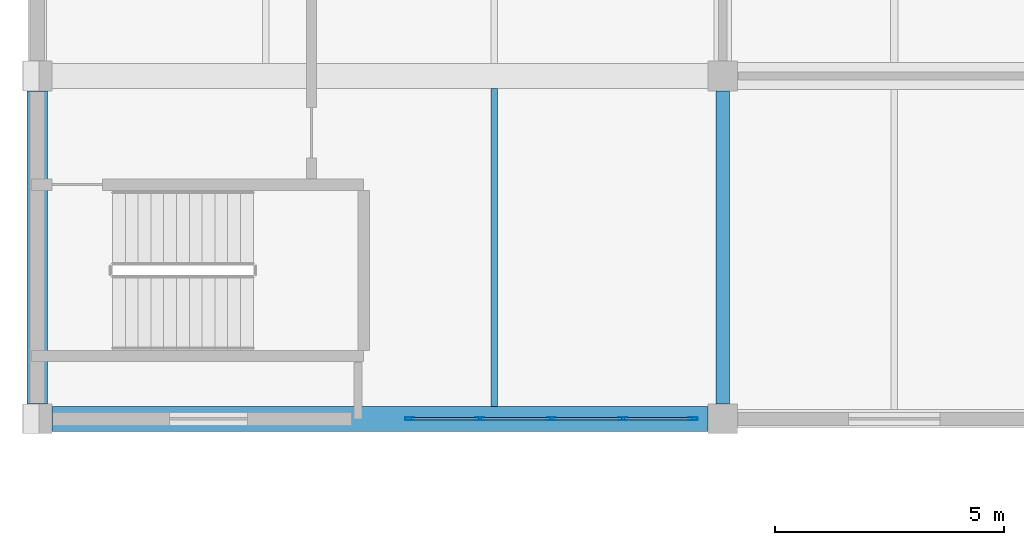
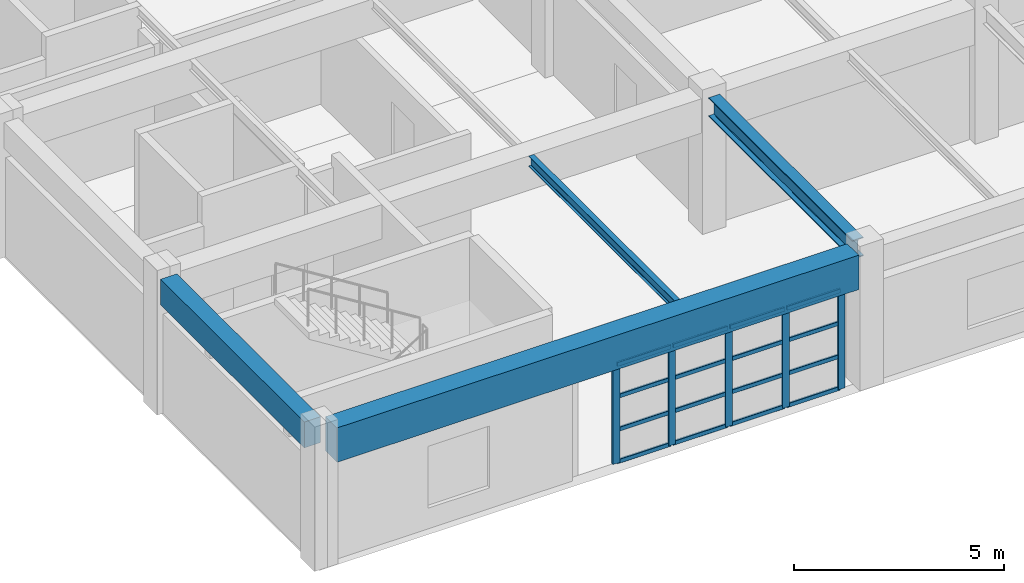
# One storey, part 44 of 132: 21 members, 4 beams, 1 element without a shape of its own.
"""IFC4 building model written with IfcOpenShell, lengths in metres."""

from ifc_helpers import new_model, si_unit, direction, frame, origin, origin_2d, place, context, subcontext, project, spatial, rectangle, hollow_rectangle, i_section, extrude, material, material_profile, profile_set, type_object, element, aggregate, save


model = new_model("IFC4")

# Units and contexts
model_context = context("Model", 3, precision=1e-05, world=origin(), true_north=direction((0.0, 1.0)))
body_context = subcontext(model_context, "Body", "Model", "MODEL_VIEW")
ifc_project = project(units=[si_unit("LENGTHUNIT", "METRE"), si_unit("AREAUNIT", "SQUARE_METRE"), si_unit("VOLUMEUNIT", "CUBIC_METRE"), si_unit("PLANEANGLEUNIT", "RADIAN"), si_unit("MASSUNIT", "GRAM", prefix="KILO")], contexts=[model_context])

# Site, building, storey
site_placement = place(None, origin())
site = spatial("IfcSite", under=ifc_project, at=site_placement, CompositionType="ELEMENT")
building_placement = place(site_placement, origin())
building = spatial("IfcBuilding", under=site, at=building_placement, Name="Qasida Concert Hall", CompositionType="ELEMENT")
storey_placement = place(building_placement, frame((0.0, 0.0, 4.800048828125)))
storey = spatial("IfcBuildingStorey", under=building, at=storey_placement, Name="L01", CompositionType="ELEMENT", Elevation=4.800048828125)

# Beams
ifc_material_1 = material(Name="Steel S355J2", Category="steel")
ifc_material_profile_1 = material_profile(ifc_material_1, i_section(OverallWidth=0.300048828125, OverallDepth=0.550048828125, WebThickness=0.014892578125, FlangeThickness=0.029052734375, FilletRadius=0.027099609375, at=origin_2d()), Name="HEB 550")
ifc_profile_set_1 = profile_set([ifc_material_profile_1], Name="Steel S355J2")
beam_type_1 = type_object("IfcBeamType", Name="BM-B12", PredefinedType="BEAM", material=ifc_profile_set_1)
beam_1_placement = place(storey_placement, frame((15.0, 75.324951171875, 3.64501953125), z_axis=(0.0, 1.0, 0.0), x_axis=(-1.0, 0.0, 0.0)))
element("IfcBeam", 1, at=beam_1_placement, inside=storey, type_object=beam_type_1, Name="L01 girder 1094", PredefinedType="BEAM", context=body_context, shape_type="SweptSolid", body=[
    extrude(i_section(OverallWidth=0.300048828125, OverallDepth=0.550048828125, WebThickness=0.014892578125, FlangeThickness=0.029052734375, FilletRadius=0.027099609375, at=origin_2d()), origin(), (0.0, 0.0, 1.0), 6.85009765625),
])
ifc_material_2 = material(Name="Concrete C40/50", Category="concrete")
ifc_material_profile_2 = material_profile(ifc_material_2, rectangle(XDim=0.550048828125, YDim=1.0, at=origin_2d()), Name="RC 550x1000")
ifc_profile_set_2 = profile_set([ifc_material_profile_2], Name="Concrete C40/50")
beam_type_2 = type_object("IfcBeamType", Name="BM-G3", PredefinedType="USERDEFINED", material=ifc_profile_set_2)
beam_2_placement = place(storey_placement, frame((0.324951171875, 75.0, 3.419921875), z_axis=(1.0, 0.0, 0.0), x_axis=(0.0, 1.0, 0.0)))
element("IfcBeam", 2, at=beam_2_placement, inside=storey, type_object=beam_type_2, Name="Primary girder 1065", ObjectType="GIRDER", PredefinedType="USERDEFINED", context=body_context, shape_type="SweptSolid", body=[
    extrude(rectangle(XDim=0.550048828125, YDim=1.0, at=origin_2d()), origin(), (0.0, 0.0, 1.0), 14.35009765625),
])
ifc_material_profile_3 = material_profile(ifc_material_1, i_section(OverallWidth=0.14990234375, OverallDepth=0.300048828125, WebThickness=0.007080078125, FlangeThickness=0.0107421875, FilletRadius=0.014892578125, at=origin_2d()), Name="IPE 300")
ifc_profile_set_3 = profile_set([ifc_material_profile_3], Name="Steel S355J2")
beam_type_3 = type_object("IfcBeamType", Name="BM-J4", PredefinedType="JOIST", material=ifc_profile_set_3)
beam_3_placement = place(storey_placement, frame((10.0, 75.27490234375, 3.77001953125), z_axis=(0.0, 1.0, 0.0), x_axis=(-1.0, 0.0, 0.0)))
element("IfcBeam", 3, at=beam_3_placement, inside=storey, type_object=beam_type_3, Name="L01 secondary joist 1114", PredefinedType="JOIST", context=body_context, shape_type="SweptSolid", body=[
    extrude(i_section(OverallWidth=0.14990234375, OverallDepth=0.300048828125, WebThickness=0.007080078125, FlangeThickness=0.0107421875, FilletRadius=0.014892578125, at=origin_2d()), origin(), (0.0, 0.0, 1.0), 6.9501953125),
])
ifc_material_profile_4 = material_profile(ifc_material_2, rectangle(XDim=0.449951171875, YDim=0.75, at=origin_2d()), Name="RC 450x750")
ifc_profile_set_4 = profile_set([ifc_material_profile_4], Name="Concrete C40/50")
beam_type_4 = type_object("IfcBeamType", Name="BM-SP4", PredefinedType="SPANDREL", material=ifc_profile_set_4)
beam_4_placement = place(storey_placement, frame((0.0, 75.324951171875, 3.544921875), z_axis=(0.0, 1.0, 0.0), x_axis=(-1.0, 0.0, 0.0)))
element("IfcBeam", 4, at=beam_4_placement, inside=storey, type_object=beam_type_4, Name="L01 girder 1089", PredefinedType="SPANDREL", context=body_context, shape_type="SweptSolid", body=[
    extrude(rectangle(XDim=0.449951171875, YDim=0.75, at=origin_2d()), origin(), (0.0, 0.0, 1.0), 6.85009765625),
])

# Curtain wall, members
ifc_material_3 = material(Name="Architectural bronze-anodized aluminium and low-E glass", Category="aluminium")
curtain_wall_type = type_object("IfcCurtainWallType", Name="CW-08", PredefinedType="NOTDEFINED", material=ifc_material_3)
curtain_wall_placement = place(storey_placement, origin())
curtain_wall = element("IfcCurtainWall", 5, at=curtain_wall_placement, inside=storey, type_object=curtain_wall_type, Name="L01 curtain wall CW-08 0184", PredefinedType="NOTDEFINED")
ifc_material_4 = material(Name="Architectural bronze-anodized aluminium EN AW-6063", Category="aluminium")
ifc_material_profile_5 = material_profile(ifc_material_4, hollow_rectangle(XDim=0.06494140625, YDim=0.199951171875, WallThickness=0.0048828125, InnerFilletRadius=0.0048828125, OuterFilletRadius=0.010009765625, at=origin_2d()), Name="CWM 200x65x5")
ifc_profile_set_5 = profile_set([ifc_material_profile_5], Name="Architectural bronze-anodized aluminium EN AW-6063")
member_type_1 = type_object("IfcMemberType", Name="MB-CWM-2", PredefinedType="MULLION", material=ifc_profile_set_5)
member_1_placement = place(storey_placement, frame((8.152587890625, 75.0, 0.0), z_axis=(0.0, 0.0, 1.0), x_axis=(0.0, 1.0, 0.0)))
member_1 = element("IfcMember", 6, at=member_1_placement, type_object=member_type_1, Name="CW-08 mullion 1", PredefinedType="MULLION", context=body_context, shape_type="SweptSolid", body=[
    extrude(hollow_rectangle(XDim=0.06494140625, YDim=0.199951171875, WallThickness=0.0048828125, InnerFilletRadius=0.0048828125, OuterFilletRadius=0.010009765625, at=origin_2d()), origin(), (0.0, 0.0, 1.0), 2.889892578125),
])
member_2_placement = place(storey_placement, frame((9.68505859375, 75.0, 0.0), z_axis=(0.0, 0.0, 1.0), x_axis=(0.0, 1.0, 0.0)))
member_2 = element("IfcMember", 7, at=member_2_placement, type_object=member_type_1, Name="CW-08 mullion 2", PredefinedType="MULLION", context=body_context, shape_type="SweptSolid", body=[
    extrude(hollow_rectangle(XDim=0.06494140625, YDim=0.199951171875, WallThickness=0.0048828125, InnerFilletRadius=0.0048828125, OuterFilletRadius=0.010009765625, at=origin_2d()), origin(), (0.0, 0.0, 1.0), 2.889892578125),
])
member_3_placement = place(storey_placement, frame((11.25, 75.0, 0.0), z_axis=(0.0, 0.0, 1.0), x_axis=(0.0, 1.0, 0.0)))
member_3 = element("IfcMember", 8, at=member_3_placement, type_object=member_type_1, Name="CW-08 mullion 3", PredefinedType="MULLION", context=body_context, shape_type="SweptSolid", body=[
    extrude(hollow_rectangle(XDim=0.06494140625, YDim=0.199951171875, WallThickness=0.0048828125, InnerFilletRadius=0.0048828125, OuterFilletRadius=0.010009765625, at=origin_2d()), origin(), (0.0, 0.0, 1.0), 2.889892578125),
])
member_4_placement = place(storey_placement, frame((12.81494140625, 75.0, 0.0), z_axis=(0.0, 0.0, 1.0), x_axis=(0.0, 1.0, 0.0)))
member_4 = element("IfcMember", 9, at=member_4_placement, type_object=member_type_1, Name="CW-08 mullion 4", PredefinedType="MULLION", context=body_context, shape_type="SweptSolid", body=[
    extrude(hollow_rectangle(XDim=0.06494140625, YDim=0.199951171875, WallThickness=0.0048828125, InnerFilletRadius=0.0048828125, OuterFilletRadius=0.010009765625, at=origin_2d()), origin(), (0.0, 0.0, 1.0), 2.889892578125),
])
member_5_placement = place(storey_placement, frame((14.347412109375, 75.0, 0.0), z_axis=(0.0, 0.0, 1.0), x_axis=(0.0, 1.0, 0.0)))
member_5 = element("IfcMember", 10, at=member_5_placement, type_object=member_type_1, Name="CW-08 mullion 5", PredefinedType="MULLION", context=body_context, shape_type="SweptSolid", body=[
    extrude(hollow_rectangle(XDim=0.06494140625, YDim=0.199951171875, WallThickness=0.0048828125, InnerFilletRadius=0.0048828125, OuterFilletRadius=0.010009765625, at=origin_2d()), origin(), (0.0, 0.0, 1.0), 2.889892578125),
])
ifc_material_profile_6 = material_profile(ifc_material_4, hollow_rectangle(XDim=0.06005859375, YDim=0.1201171875, WallThickness=0.00390625, InnerFilletRadius=0.00390625, OuterFilletRadius=0.008056640625, at=origin_2d()), Name="CWT 120x60x4")
ifc_profile_set_6 = profile_set([ifc_material_profile_6], Name="Architectural bronze-anodized aluminium EN AW-6063")
member_type_2 = type_object("IfcMemberType", Name="MB-CWT-2", PredefinedType="USERDEFINED", material=ifc_profile_set_6)
member_6_placement = place(storey_placement, frame((8.18505859375, 75.0, 0.030029296875), z_axis=(1.0, 0.0, 0.0), x_axis=(0.0, 1.0, 0.0)))
member_6 = element("IfcMember", 11, at=member_6_placement, type_object=member_type_2, Name="CW-08 transom 1.1", ObjectType="TRANSOM", PredefinedType="USERDEFINED", context=body_context, shape_type="SweptSolid", body=[
    extrude(hollow_rectangle(XDim=0.06005859375, YDim=0.1201171875, WallThickness=0.00390625, InnerFilletRadius=0.00390625, OuterFilletRadius=0.008056640625, at=origin_2d()), origin(), (0.0, 0.0, 1.0), 1.467529296875),
])
member_7_placement = place(storey_placement, frame((8.18505859375, 75.0, 0.963134765625), z_axis=(1.0, 0.0, 0.0), x_axis=(0.0, 1.0, 0.0)))
member_7 = element("IfcMember", 12, at=member_7_placement, type_object=member_type_2, Name="CW-08 transom 1.2", ObjectType="TRANSOM", PredefinedType="USERDEFINED", context=body_context, shape_type="SweptSolid", body=[
    extrude(hollow_rectangle(XDim=0.06005859375, YDim=0.1201171875, WallThickness=0.00390625, InnerFilletRadius=0.00390625, OuterFilletRadius=0.008056640625, at=origin_2d()), origin(), (0.0, 0.0, 1.0), 1.467529296875),
])
member_8_placement = place(storey_placement, frame((8.18505859375, 75.0, 1.9267578125), z_axis=(1.0, 0.0, 0.0), x_axis=(0.0, 1.0, 0.0)))
member_8 = element("IfcMember", 13, at=member_8_placement, type_object=member_type_2, Name="CW-08 transom 1.3", ObjectType="TRANSOM", PredefinedType="USERDEFINED", context=body_context, shape_type="SweptSolid", body=[
    extrude(hollow_rectangle(XDim=0.06005859375, YDim=0.1201171875, WallThickness=0.00390625, InnerFilletRadius=0.00390625, OuterFilletRadius=0.008056640625, at=origin_2d()), origin(), (0.0, 0.0, 1.0), 1.467529296875),
])
member_9_placement = place(storey_placement, frame((8.18505859375, 75.0, 2.85986328125), z_axis=(1.0, 0.0, 0.0), x_axis=(0.0, 1.0, 0.0)))
member_9 = element("IfcMember", 14, at=member_9_placement, type_object=member_type_2, Name="CW-08 transom 1.4", ObjectType="TRANSOM", PredefinedType="USERDEFINED", context=body_context, shape_type="SweptSolid", body=[
    extrude(hollow_rectangle(XDim=0.06005859375, YDim=0.1201171875, WallThickness=0.00390625, InnerFilletRadius=0.00390625, OuterFilletRadius=0.008056640625, at=origin_2d()), origin(), (0.0, 0.0, 1.0), 1.467529296875),
])
member_10_placement = place(storey_placement, frame((9.717529296875, 75.0, 0.030029296875), z_axis=(1.0, 0.0, 0.0), x_axis=(0.0, 1.0, 0.0)))
member_10 = element("IfcMember", 15, at=member_10_placement, type_object=member_type_2, Name="CW-08 transom 2.1", ObjectType="TRANSOM", PredefinedType="USERDEFINED", context=body_context, shape_type="SweptSolid", body=[
    extrude(hollow_rectangle(XDim=0.06005859375, YDim=0.1201171875, WallThickness=0.00390625, InnerFilletRadius=0.00390625, OuterFilletRadius=0.008056640625, at=origin_2d()), origin(), (0.0, 0.0, 1.0), 1.5),
])
member_11_placement = place(storey_placement, frame((9.717529296875, 75.0, 0.963134765625), z_axis=(1.0, 0.0, 0.0), x_axis=(0.0, 1.0, 0.0)))
member_11 = element("IfcMember", 16, at=member_11_placement, type_object=member_type_2, Name="CW-08 transom 2.2", ObjectType="TRANSOM", PredefinedType="USERDEFINED", context=body_context, shape_type="SweptSolid", body=[
    extrude(hollow_rectangle(XDim=0.06005859375, YDim=0.1201171875, WallThickness=0.00390625, InnerFilletRadius=0.00390625, OuterFilletRadius=0.008056640625, at=origin_2d()), origin(), (0.0, 0.0, 1.0), 1.5),
])
member_12_placement = place(storey_placement, frame((9.717529296875, 75.0, 1.9267578125), z_axis=(1.0, 0.0, 0.0), x_axis=(0.0, 1.0, 0.0)))
member_12 = element("IfcMember", 17, at=member_12_placement, type_object=member_type_2, Name="CW-08 transom 2.3", ObjectType="TRANSOM", PredefinedType="USERDEFINED", context=body_context, shape_type="SweptSolid", body=[
    extrude(hollow_rectangle(XDim=0.06005859375, YDim=0.1201171875, WallThickness=0.00390625, InnerFilletRadius=0.00390625, OuterFilletRadius=0.008056640625, at=origin_2d()), origin(), (0.0, 0.0, 1.0), 1.5),
])
member_13_placement = place(storey_placement, frame((9.717529296875, 75.0, 2.85986328125), z_axis=(1.0, 0.0, 0.0), x_axis=(0.0, 1.0, 0.0)))
member_13 = element("IfcMember", 18, at=member_13_placement, type_object=member_type_2, Name="CW-08 transom 2.4", ObjectType="TRANSOM", PredefinedType="USERDEFINED", context=body_context, shape_type="SweptSolid", body=[
    extrude(hollow_rectangle(XDim=0.06005859375, YDim=0.1201171875, WallThickness=0.00390625, InnerFilletRadius=0.00390625, OuterFilletRadius=0.008056640625, at=origin_2d()), origin(), (0.0, 0.0, 1.0), 1.5),
])
member_14_placement = place(storey_placement, frame((11.282470703125, 75.0, 0.030029296875), z_axis=(1.0, 0.0, 0.0), x_axis=(0.0, 1.0, 0.0)))
member_14 = element("IfcMember", 19, at=member_14_placement, type_object=member_type_2, Name="CW-08 transom 3.1", ObjectType="TRANSOM", PredefinedType="USERDEFINED", context=body_context, shape_type="SweptSolid", body=[
    extrude(hollow_rectangle(XDim=0.06005859375, YDim=0.1201171875, WallThickness=0.00390625, InnerFilletRadius=0.00390625, OuterFilletRadius=0.008056640625, at=origin_2d()), origin(), (0.0, 0.0, 1.0), 1.5),
])
member_15_placement = place(storey_placement, frame((11.282470703125, 75.0, 0.963134765625), z_axis=(1.0, 0.0, 0.0), x_axis=(0.0, 1.0, 0.0)))
member_15 = element("IfcMember", 20, at=member_15_placement, type_object=member_type_2, Name="CW-08 transom 3.2", ObjectType="TRANSOM", PredefinedType="USERDEFINED", context=body_context, shape_type="SweptSolid", body=[
    extrude(hollow_rectangle(XDim=0.06005859375, YDim=0.1201171875, WallThickness=0.00390625, InnerFilletRadius=0.00390625, OuterFilletRadius=0.008056640625, at=origin_2d()), origin(), (0.0, 0.0, 1.0), 1.5),
])
member_16_placement = place(storey_placement, frame((11.282470703125, 75.0, 1.9267578125), z_axis=(1.0, 0.0, 0.0), x_axis=(0.0, 1.0, 0.0)))
member_16 = element("IfcMember", 21, at=member_16_placement, type_object=member_type_2, Name="CW-08 transom 3.3", ObjectType="TRANSOM", PredefinedType="USERDEFINED", context=body_context, shape_type="SweptSolid", body=[
    extrude(hollow_rectangle(XDim=0.06005859375, YDim=0.1201171875, WallThickness=0.00390625, InnerFilletRadius=0.00390625, OuterFilletRadius=0.008056640625, at=origin_2d()), origin(), (0.0, 0.0, 1.0), 1.5),
])
member_17_placement = place(storey_placement, frame((11.282470703125, 75.0, 2.85986328125), z_axis=(1.0, 0.0, 0.0), x_axis=(0.0, 1.0, 0.0)))
member_17 = element("IfcMember", 22, at=member_17_placement, type_object=member_type_2, Name="CW-08 transom 3.4", ObjectType="TRANSOM", PredefinedType="USERDEFINED", context=body_context, shape_type="SweptSolid", body=[
    extrude(hollow_rectangle(XDim=0.06005859375, YDim=0.1201171875, WallThickness=0.00390625, InnerFilletRadius=0.00390625, OuterFilletRadius=0.008056640625, at=origin_2d()), origin(), (0.0, 0.0, 1.0), 1.5),
])
member_18_placement = place(storey_placement, frame((12.847412109375, 75.0, 0.030029296875), z_axis=(1.0, 0.0, 0.0), x_axis=(0.0, 1.0, 0.0)))
member_18 = element("IfcMember", 23, at=member_18_placement, type_object=member_type_2, Name="CW-08 transom 4.1", ObjectType="TRANSOM", PredefinedType="USERDEFINED", context=body_context, shape_type="SweptSolid", body=[
    extrude(hollow_rectangle(XDim=0.06005859375, YDim=0.1201171875, WallThickness=0.00390625, InnerFilletRadius=0.00390625, OuterFilletRadius=0.008056640625, at=origin_2d()), origin(), (0.0, 0.0, 1.0), 1.467529296875),
])
member_19_placement = place(storey_placement, frame((12.847412109375, 75.0, 0.963134765625), z_axis=(1.0, 0.0, 0.0), x_axis=(0.0, 1.0, 0.0)))
member_19 = element("IfcMember", 24, at=member_19_placement, type_object=member_type_2, Name="CW-08 transom 4.2", ObjectType="TRANSOM", PredefinedType="USERDEFINED", context=body_context, shape_type="SweptSolid", body=[
    extrude(hollow_rectangle(XDim=0.06005859375, YDim=0.1201171875, WallThickness=0.00390625, InnerFilletRadius=0.00390625, OuterFilletRadius=0.008056640625, at=origin_2d()), origin(), (0.0, 0.0, 1.0), 1.467529296875),
])
member_20_placement = place(storey_placement, frame((12.847412109375, 75.0, 1.9267578125), z_axis=(1.0, 0.0, 0.0), x_axis=(0.0, 1.0, 0.0)))
member_20 = element("IfcMember", 25, at=member_20_placement, type_object=member_type_2, Name="CW-08 transom 4.3", ObjectType="TRANSOM", PredefinedType="USERDEFINED", context=body_context, shape_type="SweptSolid", body=[
    extrude(hollow_rectangle(XDim=0.06005859375, YDim=0.1201171875, WallThickness=0.00390625, InnerFilletRadius=0.00390625, OuterFilletRadius=0.008056640625, at=origin_2d()), origin(), (0.0, 0.0, 1.0), 1.467529296875),
])
member_21_placement = place(storey_placement, frame((12.847412109375, 75.0, 2.85986328125), z_axis=(1.0, 0.0, 0.0), x_axis=(0.0, 1.0, 0.0)))
member_21 = element("IfcMember", 26, at=member_21_placement, type_object=member_type_2, Name="CW-08 transom 4.4", ObjectType="TRANSOM", PredefinedType="USERDEFINED", context=body_context, shape_type="SweptSolid", body=[
    extrude(hollow_rectangle(XDim=0.06005859375, YDim=0.1201171875, WallThickness=0.00390625, InnerFilletRadius=0.00390625, OuterFilletRadius=0.008056640625, at=origin_2d()), origin(), (0.0, 0.0, 1.0), 1.467529296875),
])
aggregate(curtain_wall, [member_1, member_2, member_3, member_4, member_5, member_6, member_7, member_8, member_9, member_10, member_11, member_12, member_13, member_14, member_15, member_16, member_17, member_18, member_19, member_20, member_21])

save(model, "model.ifc")
